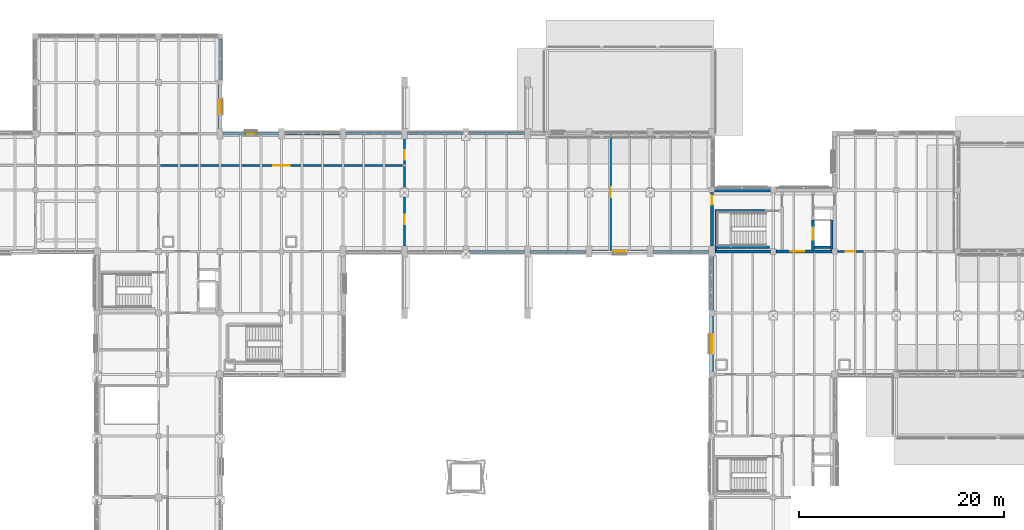
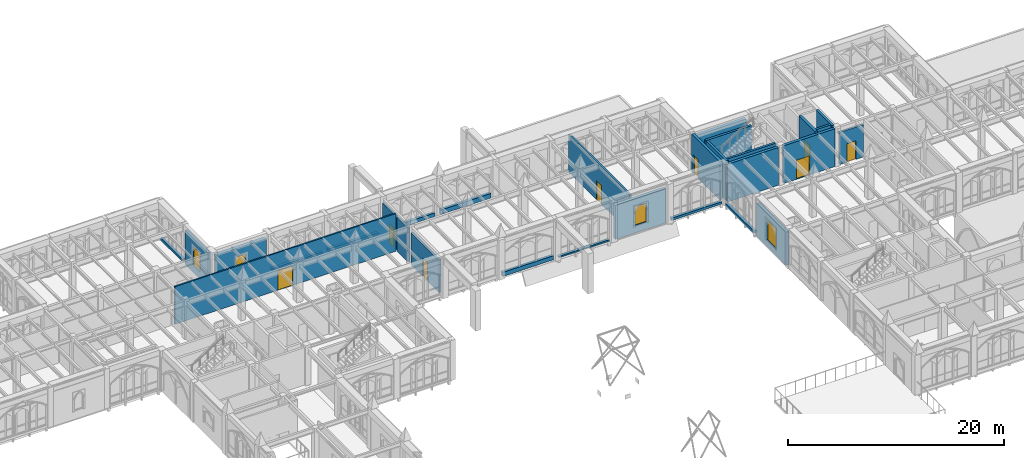
# One storey, part 108 of 143: 29 walls, 8 doors, 4 windows, 12 openings.
"""IFC4 building model written with IfcOpenShell, lengths in metres."""

from ifc_helpers import new_model, si_unit, direction, frame, frame_2d, origin, place, context, subcontext, project, spatial, rectangle, extrude, material, layer, layer_set, type_object, element, fill, save


model = new_model("IFC4")

# Units and contexts
model_context = context("Model", 3, precision=1e-05, world=origin(), true_north=direction((0.0, 1.0)))
body_context = subcontext(model_context, "Body", "Model", "MODEL_VIEW")
ifc_project = project(units=[si_unit("LENGTHUNIT", "METRE"), si_unit("AREAUNIT", "SQUARE_METRE"), si_unit("VOLUMEUNIT", "CUBIC_METRE"), si_unit("PLANEANGLEUNIT", "RADIAN"), si_unit("MASSUNIT", "GRAM", prefix="KILO")], contexts=[model_context])

# Site, building, storey
site_placement = place(None, origin())
site = spatial("IfcSite", under=ifc_project, at=site_placement, CompositionType="ELEMENT")
building_placement = place(site_placement, origin())
building = spatial("IfcBuilding", under=site, at=building_placement, Name="Cumevento Cable Car Station", CompositionType="ELEMENT")
storey_placement = place(building_placement, frame((0.0, 0.0, 9.0)))
storey = spatial("IfcBuildingStorey", under=building, at=storey_placement, Name="L03", CompositionType="ELEMENT", Elevation=9.0)

# Wall, opening, window
ifc_material_1 = material(Name="Gnaisse Facoidal Stone Ashlar 85 MPa", Category="masonry")
ifc_layer_1 = layer(ifc_material_1, 0.280029296875)
ifc_layer_set_1 = layer_set([ifc_layer_1], Name="Gnaisse Facoidal Stone Ashlar 85 MPa")
wall_type_1 = type_object("IfcWallType", Name="Exterior Envelope Wall EW-280 280", PredefinedType="SOLIDWALL", material=ifc_layer_set_1)
wall_1_placement = place(storey_placement, frame((70.0, 61.25, 0.0), z_axis=(0.0, 0.0, 1.0), x_axis=(0.0, -1.0, 0.0)))
wall_1 = element("IfcWall", 1, at=wall_1_placement, inside=storey, type_object=wall_type_1, Name="Exterior Wall EW-280 L03 #261", PredefinedType="SOLIDWALL", context=body_context, shape_type="SweptSolid", body=[
    extrude(rectangle(XDim=4.22509765625, YDim=0.280029296875, at=frame_2d((2.112548828125, 0.0))), origin(), (0.0, 0.0, 1.0), 3.8330078125),
])
opening_1_placement = place(wall_1_placement, frame((1.4375, 0.0, 0.800048828125)))
opening_1 = element("IfcOpeningElement", 2, at=opening_1_placement, cuts=wall_1, Name="Opening WN-L03-078", PredefinedType="OPENING", context=body_context, shape_type="SweptSolid", body=[
    extrude(rectangle(XDim=1.35009765625, YDim=2.14990234375, at=frame_2d((0.675048828125, 1.074951171875))), frame((0.0, 0.150146484375, 0.0), z_axis=(0.0, -1.0, 0.0), x_axis=(1.0, 0.0, 0.0)), (0.0, 0.0, 1.0), 0.300048828125),
])
ifc_material_2 = material(Name="Anodised Bronze Aluminium & Laminated Solar Glass", Category="aluminium")
window_type_1 = type_object("IfcWindowType", Name="Lancet Window WN-06 1350x2150", PartitioningType="SINGLE_PANEL", PredefinedType="WINDOW", material=ifc_material_2)
window_1_placement = place(opening_1_placement, origin())
window_1 = element("IfcWindow", 3, at=window_1_placement, inside=storey, type_object=window_type_1, Name="Lancet Window WN-L03-078 (WN-06)", OverallHeight=2.14990234375, OverallWidth=1.35009765625, PartitioningType="SINGLE_PANEL", PredefinedType="WINDOW", context=body_context, shape_type="SweptSolid", body=[
    extrude(rectangle(XDim=1.35009765625, YDim=2.14990234375, at=frame_2d((0.675048828125, 1.074951171875))), frame((0.0, 0.030029296875, 0.0), z_axis=(0.0, -1.0, 0.0), x_axis=(1.0, 0.0, 0.0)), (0.0, 0.0, 1.0), 0.06005859375),
])
fill(opening_1, window_1)

# Walls
ifc_material_3 = material(Name="Gnaisse Facoidal Stone Ashlar 85 MPa", Category="masonry")
ifc_layer_2 = layer(ifc_material_3, 0.294921875)
ifc_layer_set_2 = layer_set([ifc_layer_2], Name="Gnaisse Facoidal Stone Ashlar 85 MPa")
wall_type_2 = type_object("IfcWallType", Name="Exterior Envelope Wall EW-295 295", PredefinedType="SOLIDWALL", material=ifc_layer_set_2)
wall_2_placement = place(storey_placement, frame((76.300048828125, 56.5, 0.0), z_axis=(0.0, 0.0, 1.0), x_axis=(1.0, 0.0, 0.0)))
element("IfcWall", 4, at=wall_2_placement, inside=storey, type_object=wall_type_2, Name="Exterior Sill Curb Wall EW-295 L03 #243", PredefinedType="SOLIDWALL", context=body_context, shape_type="SweptSolid", body=[
    extrude(rectangle(XDim=5.39990234375, YDim=0.294921875, at=frame_2d((2.699951171875, 0.0))), origin(), (0.0, 0.0, 1.0), 0.2099609375),
])
wall_3_placement = place(storey_placement, frame((82.300048828125, 56.5, 0.0), z_axis=(0.0, 0.0, 1.0), x_axis=(1.0, 0.0, 0.0)))
element("IfcWall", 5, at=wall_3_placement, inside=storey, type_object=wall_type_2, Name="Exterior Sill Curb Wall EW-295 L03 #245", PredefinedType="SOLIDWALL", context=body_context, shape_type="SweptSolid", body=[
    extrude(rectangle(XDim=5.39990234375, YDim=0.294921875, at=frame_2d((2.699951171875, 0.0))), origin(), (0.0, 0.0, 1.0), 0.31005859375),
])
wall_4_placement = place(storey_placement, frame((88.300048828125, 56.5, 0.0), z_axis=(0.0, 0.0, 1.0), x_axis=(1.0, 0.0, 0.0)))
element("IfcWall", 6, at=wall_4_placement, inside=storey, type_object=wall_type_2, Name="Exterior Sill Curb Wall EW-295 L03 #247", PredefinedType="SOLIDWALL", context=body_context, shape_type="SweptSolid", body=[
    extrude(rectangle(XDim=5.39990234375, YDim=0.294921875, at=frame_2d((2.699951171875, 0.0))), origin(), (0.0, 0.0, 1.0), 0.409912109375),
])
wall_5_placement = place(storey_placement, frame((99.699951171875, 45.0, 0.0), z_axis=(0.0, 0.0, 1.0), x_axis=(-1.0, 0.0, 0.0)))
element("IfcWall", 7, at=wall_5_placement, inside=storey, type_object=wall_type_2, Name="Exterior Sill Curb Wall EW-295 L03 #248", PredefinedType="SOLIDWALL", context=body_context, shape_type="SweptSolid", body=[
    extrude(rectangle(XDim=5.39990234375, YDim=0.294921875, at=frame_2d((2.699951171875, 0.0))), origin(), (0.0, 0.0, 1.0), 0.4599609375),
])
wall_6_placement = place(storey_placement, frame((94.300048828125, 56.5, 0.0), z_axis=(0.0, 0.0, 1.0), x_axis=(1.0, 0.0, 0.0)))
element("IfcWall", 8, at=wall_6_placement, inside=storey, type_object=wall_type_2, Name="Exterior Sill Curb Wall EW-295 L03 #249", PredefinedType="SOLIDWALL", context=body_context, shape_type="SweptSolid", body=[
    extrude(rectangle(XDim=5.39990234375, YDim=0.294921875, at=frame_2d((2.699951171875, 0.0))), origin(), (0.0, 0.0, 1.0), 0.52001953125),
])
wall_7_placement = place(storey_placement, frame((105.699951171875, 45.0, 0.0), z_axis=(0.0, 0.0, 1.0), x_axis=(-1.0, 0.0, 0.0)))
element("IfcWall", 9, at=wall_7_placement, inside=storey, type_object=wall_type_2, Name="Exterior Sill Curb Wall EW-295 L03 #250", PredefinedType="SOLIDWALL", context=body_context, shape_type="SweptSolid", body=[
    extrude(rectangle(XDim=5.39990234375, YDim=0.294921875, at=frame_2d((2.699951171875, 0.0))), origin(), (0.0, 0.0, 1.0), 0.159912109375),
])
wall_8_placement = place(storey_placement, frame((117.699951171875, 45.0, 0.0), z_axis=(0.0, 0.0, 1.0), x_axis=(-1.0, 0.0, 0.0)))
element("IfcWall", 10, at=wall_8_placement, inside=storey, type_object=wall_type_2, Name="Exterior Sill Curb Wall EW-295 L03 #254", PredefinedType="SOLIDWALL", context=body_context, shape_type="SweptSolid", body=[
    extrude(rectangle(XDim=5.39990234375, YDim=0.294921875, at=frame_2d((2.699951171875, 0.0))), origin(), (0.0, 0.0, 1.0), 0.260009765625),
])
wall_9_placement = place(storey_placement, frame((70.0, 65.75, 0.0), z_axis=(0.0, 0.0, 1.0), x_axis=(0.0, -1.0, 0.0)))
element("IfcWall", 11, at=wall_9_placement, inside=storey, type_object=wall_type_2, Name="Exterior Sill Curb Wall EW-295 L03 #263", PredefinedType="SOLIDWALL", context=body_context, shape_type="SweptSolid", body=[
    extrude(rectangle(XDim=4.0, YDim=0.294921875, at=frame_2d((2.0, 0.0))), origin(), (0.0, 0.0, 1.0), 0.260009765625),
])
wall_10_placement = place(storey_placement, frame((118.0, 39.27490234375, 0.0), z_axis=(0.0, 0.0, 1.0), x_axis=(0.0, 1.0, 0.0)))
element("IfcWall", 12, at=wall_10_placement, inside=storey, type_object=wall_type_2, Name="Exterior Sill Curb Wall EW-295 L03 #278", PredefinedType="SOLIDWALL", context=body_context, shape_type="SweptSolid", body=[
    extrude(rectangle(XDim=5.2001953125, YDim=0.294921875, at=frame_2d((2.60009765625, 0.0))), origin(), (0.0, 0.0, 1.0), 0.260009765625),
])

# Wall, opening, window
ifc_material_4 = material(Name="Gnaisse Facoidal Stone Ashlar 85 MPa", Category="masonry")
ifc_layer_3 = layer(ifc_material_4, 0.324951171875)
ifc_layer_set_3 = layer_set([ifc_layer_3], Name="Gnaisse Facoidal Stone Ashlar 85 MPa")
wall_type_3 = type_object("IfcWallType", Name="Exterior Envelope Wall EW-325 325", PredefinedType="SOLIDWALL", material=ifc_layer_set_3)
wall_11_placement = place(storey_placement, frame((118.0, 33.27490234375, 0.0), z_axis=(0.0, 0.0, 1.0), x_axis=(0.0, 1.0, 0.0)))
wall_11 = element("IfcWall", 13, at=wall_11_placement, inside=storey, type_object=wall_type_3, Name="Exterior Wall EW-325 L03 #277", PredefinedType="SOLIDWALL", context=body_context, shape_type="SweptSolid", body=[
    extrude(rectangle(XDim=5.4501953125, YDim=0.324951171875, at=frame_2d((2.72509765625, 0.0))), origin(), (0.0, 0.0, 1.0), 3.778076171875),
])
opening_2_placement = place(wall_11_placement, frame((1.85009765625, 0.0, 0.75)))
opening_2 = element("IfcOpeningElement", 14, at=opening_2_placement, cuts=wall_11, Name="Opening WN-L03-082", PredefinedType="OPENING", context=body_context, shape_type="SweptSolid", body=[
    extrude(rectangle(XDim=1.75, YDim=2.300048828125, at=frame_2d((0.875, 1.14990234375))), frame((0.0, 0.172607421875, 0.0), z_axis=(0.0, -1.0, 0.0), x_axis=(1.0, 0.0, 0.0)), (0.0, 0.0, 1.0), 0.344970703125),
])
ifc_material_5 = material(Name="Anodised Bronze Aluminium & Laminated Solar Glass", Category="aluminium")
window_type_2 = type_object("IfcWindowType", Name="Lancet Window WN-10 1750x2300", PartitioningType="DOUBLE_PANEL_VERTICAL", PredefinedType="WINDOW", material=ifc_material_5)
window_2_placement = place(opening_2_placement, origin())
window_2 = element("IfcWindow", 15, at=window_2_placement, inside=storey, type_object=window_type_2, Name="Lancet Window WN-L03-082 (WN-10)", OverallHeight=2.300048828125, OverallWidth=1.75, PartitioningType="SINGLE_PANEL", PredefinedType="WINDOW", context=body_context, shape_type="SweptSolid", body=[
    extrude(rectangle(XDim=1.75, YDim=2.300048828125, at=frame_2d((0.875, 1.14990234375))), frame((0.0, 0.030029296875, 0.0), z_axis=(0.0, -1.0, 0.0), x_axis=(1.0, 0.0, 0.0)), (0.0, 0.0, 1.0), 0.06005859375),
])
fill(opening_2, window_2)

ifc_material_6 = material(Name="Concrete C40/50", Category="concrete")
ifc_layer_4 = layer(ifc_material_6, 0.340087890625)
ifc_layer_set_4 = layer_set([ifc_layer_4], Name="Concrete C40/50")
wall_type_4 = type_object("IfcWallType", Name="Exterior Envelope Wall EW-340 340", PredefinedType="SOLIDWALL", material=ifc_layer_set_4)
wall_12_placement = place(storey_placement, frame((111.699951171875, 45.0, 0.0), z_axis=(0.0, 0.0, 1.0), x_axis=(-1.0, 0.0, 0.0)))
wall_12 = element("IfcWall", 16, at=wall_12_placement, inside=storey, type_object=wall_type_4, Name="Exterior Wall EW-340 L03 #252", PredefinedType="SOLIDWALL", context=body_context, shape_type="SweptSolid", body=[
    extrude(rectangle(XDim=5.39990234375, YDim=0.340087890625, at=frame_2d((2.699951171875, 0.0))), origin(), (0.0, 0.0, 1.0), 3.844970703125),
])
opening_3_placement = place(wall_12_placement, frame((2.074951171875, 0.0, 0.800048828125)))
opening_3 = element("IfcOpeningElement", 17, at=opening_3_placement, cuts=wall_12, Name="Opening WN-L03-077", PredefinedType="OPENING", context=body_context, shape_type="SweptSolid", body=[
    extrude(rectangle(XDim=1.25, YDim=2.14990234375, at=frame_2d((0.625, 1.074951171875))), frame((0.0, 0.179931640625, 0.0), z_axis=(0.0, -1.0, 0.0), x_axis=(1.0, 0.0, 0.0)), (0.0, 0.0, 1.0), 0.360107421875),
])
ifc_material_7 = material(Name="Anodised Bronze Aluminium & Laminated Solar Glass", Category="aluminium")
window_type_3 = type_object("IfcWindowType", Name="Lancet Window WN-05 1250x2150", PartitioningType="SINGLE_PANEL", PredefinedType="WINDOW", material=ifc_material_7)
window_3_placement = place(opening_3_placement, origin())
window_3 = element("IfcWindow", 18, at=window_3_placement, inside=storey, type_object=window_type_3, Name="Lancet Window WN-L03-077 (WN-05)", OverallHeight=2.14990234375, OverallWidth=1.25, PartitioningType="SINGLE_PANEL", PredefinedType="WINDOW", context=body_context, shape_type="SweptSolid", body=[
    extrude(rectangle(XDim=1.25, YDim=2.14990234375, at=frame_2d((0.625, 1.074951171875))), frame((0.0, 0.030029296875, 0.0), z_axis=(0.0, -1.0, 0.0), x_axis=(1.0, 0.0, 0.0)), (0.0, 0.0, 1.0), 0.06005859375),
])
fill(opening_3, window_3)

# Wall
ifc_material_8 = material(Name="Concrete C40/50", Category="concrete")
ifc_layer_5 = layer(ifc_material_8, 0.35498046875)
ifc_layer_set_5 = layer_set([ifc_layer_5], Name="Concrete C40/50")
wall_type_5 = type_object("IfcWallType", Name="Exterior Envelope Wall EW-355 355", PredefinedType="SOLIDWALL", material=ifc_layer_set_5)
wall_13_placement = place(storey_placement, frame((118.25, 51.0, 0.0), z_axis=(0.0, 0.0, 1.0), x_axis=(1.0, 0.0, 0.0)))
element("IfcWall", 19, at=wall_13_placement, inside=storey, type_object=wall_type_5, Name="Exterior Wall EW-355 L03 #290", PredefinedType="SOLIDWALL", context=body_context, shape_type="SweptSolid", body=[
    extrude(rectangle(XDim=5.47509765625, YDim=0.35498046875, at=frame_2d((2.737548828125, 0.0))), origin(), (0.0, 0.0, 1.0), 3.844970703125),
])

# Wall, opening, window
ifc_material_9 = material(Name="Gnaisse Facoidal Stone Ashlar 85 MPa", Category="masonry")
ifc_layer_6 = layer(ifc_material_9, 0.385009765625)
ifc_layer_set_6 = layer_set([ifc_layer_6], Name="Gnaisse Facoidal Stone Ashlar 85 MPa")
wall_type_6 = type_object("IfcWallType", Name="Exterior Envelope Wall EW-385 385", PredefinedType="SOLIDWALL", material=ifc_layer_set_6)
wall_14_placement = place(storey_placement, frame((70.300048828125, 56.5, 0.0), z_axis=(0.0, 0.0, 1.0), x_axis=(1.0, 0.0, 0.0)))
wall_14 = element("IfcWall", 20, at=wall_14_placement, inside=storey, type_object=wall_type_6, Name="Exterior Wall EW-385 L03 #242", PredefinedType="SOLIDWALL", context=body_context, shape_type="SweptSolid", body=[
    extrude(rectangle(XDim=5.39990234375, YDim=0.385009765625, at=frame_2d((2.699951171875, 0.0))), origin(), (0.0, 0.0, 1.0), 3.8330078125),
])
opening_4_placement = place(wall_14_placement, frame((2.175048828125, 0.0, 0.85009765625)))
opening_4 = element("IfcOpeningElement", 21, at=opening_4_placement, cuts=wall_14, Name="Opening WN-L03-075", PredefinedType="OPENING", context=body_context, shape_type="SweptSolid", body=[
    extrude(rectangle(XDim=1.050048828125, YDim=2.050048828125, at=frame_2d((0.52490234375, 1.02490234375))), frame((0.0, 0.202392578125, 0.0), z_axis=(0.0, -1.0, 0.0), x_axis=(1.0, 0.0, 0.0)), (0.0, 0.0, 1.0), 0.405029296875),
])
ifc_material_10 = material(Name="Anodised Bronze Aluminium & Laminated Solar Glass", Category="aluminium")
window_type_4 = type_object("IfcWindowType", Name="Lancet Window WN-03 1050x2050", PartitioningType="SINGLE_PANEL", PredefinedType="WINDOW", material=ifc_material_10)
window_4_placement = place(opening_4_placement, origin())
window_4 = element("IfcWindow", 22, at=window_4_placement, inside=storey, type_object=window_type_4, Name="Lancet Window WN-L03-075 (WN-03)", OverallHeight=2.050048828125, OverallWidth=1.050048828125, PartitioningType="SINGLE_PANEL", PredefinedType="WINDOW", context=body_context, shape_type="SweptSolid", body=[
    extrude(rectangle(XDim=1.050048828125, YDim=2.050048828125, at=frame_2d((0.52490234375, 1.02490234375))), frame((0.0, 0.030029296875, 0.0), z_axis=(0.0, -1.0, 0.0), x_axis=(1.0, 0.0, 0.0)), (0.0, 0.0, 1.0), 0.06005859375),
])
fill(opening_4, window_4)

# Wall, opening, door
ifc_material_11 = material(Name="Concrete C40/50", Category="concrete")
ifc_layer_7 = layer(ifc_material_11, 0.219970703125)
ifc_layer_set_7 = layer_set([ifc_layer_7], Name="Concrete C40/50")
wall_type_7 = type_object("IfcWallType", Name="Interior Partition FW-220 220", PredefinedType="SOLIDWALL", material=ifc_layer_set_7)
wall_15_placement = place(storey_placement, frame((88.0, 45.527099609375, 0.0), z_axis=(0.0, 0.0, 1.0), x_axis=(0.0, 1.0, 0.0)))
wall_15 = element("IfcWall", 23, at=wall_15_placement, inside=storey, type_object=wall_type_7, Name="Interior Wall FW-220 L03 #666", PredefinedType="SOLIDWALL", context=body_context, shape_type="SweptSolid", body=[
    extrude(rectangle(XDim=5.19580078125, YDim=0.219970703125, at=frame_2d((2.597900390625, 0.0))), origin(), (0.0, 0.0, 1.0), 3.64404296875),
])
opening_5_placement = place(wall_15_placement, frame((2.1279296875, 0.0, 0.0)))
opening_5 = element("IfcOpeningElement", 24, at=opening_5_placement, cuts=wall_15, Name="Opening DR-L03-258", PredefinedType="OPENING", context=body_context, shape_type="SweptSolid", body=[
    extrude(rectangle(XDim=0.93994140625, YDim=2.10009765625, at=frame_2d((0.469970703125, 1.050048828125))), frame((0.0, 0.119873046875, 0.0), z_axis=(0.0, -1.0, 0.0), x_axis=(1.0, 0.0, 0.0)), (0.0, 0.0, 1.0), 0.239990234375),
])
ifc_material_12 = material(Name="Galvanised Painted Steel Fire Door", Category="steel")
door_type_1 = type_object("IfcDoorType", Name="Interior Door FD-08 940x2100", OperationType="NOTDEFINED", PredefinedType="DOOR", material=ifc_material_12)
door_1_placement = place(opening_5_placement, origin())
door_1 = element("IfcDoor", 25, at=door_1_placement, inside=storey, type_object=door_type_1, Name="Interior Door DR-L03-258 (FD-08)", OperationType="SINGLE_SWING_LEFT", OverallHeight=2.10009765625, OverallWidth=0.93994140625, PredefinedType="DOOR", context=body_context, shape_type="SweptSolid", body=[
    extrude(rectangle(XDim=0.93994140625, YDim=2.10009765625, at=frame_2d((0.469970703125, 1.050048828125))), frame((0.0, 0.02490234375, 0.0), z_axis=(0.0, -1.0, 0.0), x_axis=(1.0, 0.0, 0.0)), (0.0, 0.0, 1.0), 0.050048828125),
])
fill(opening_5, door_1)

# Wall
wall_16_placement = place(storey_placement, frame((88.0, 51.277099609375, 0.0), z_axis=(0.0, 0.0, 1.0), x_axis=(0.0, 1.0, 0.0)))
element("IfcWall", 26, at=wall_16_placement, inside=storey, type_object=wall_type_7, Name="Interior Wall FW-220 L03 #667", PredefinedType="SOLIDWALL", context=body_context, shape_type="SweptSolid", body=[
    extrude(rectangle(XDim=2.02294921875, YDim=0.219970703125, at=frame_2d((1.011474609375, 0.0))), origin(), (0.0, 0.0, 1.0), 3.794921875),
])

# Wall, opening, door
wall_17_placement = place(storey_placement, frame((88.0, 53.5, 0.0), z_axis=(0.0, 0.0, 1.0), x_axis=(0.0, 1.0, 0.0)))
wall_17 = element("IfcWall", 27, at=wall_17_placement, inside=storey, type_object=wall_type_7, Name="Interior Wall FW-220 L03 #668", PredefinedType="SOLIDWALL", context=body_context, shape_type="SweptSolid", body=[
    extrude(rectangle(XDim=2.472900390625, YDim=0.219970703125, at=frame_2d((1.236328125, 0.0))), origin(), (0.0, 0.0, 1.0), 3.794921875),
])
opening_6_placement = place(wall_17_placement, frame((0.466552734375, 0.0, 0.0)))
opening_6 = element("IfcOpeningElement", 28, at=opening_6_placement, cuts=wall_17, Name="Opening DR-L03-259", PredefinedType="OPENING", context=body_context, shape_type="SweptSolid", body=[
    extrude(rectangle(XDim=0.93994140625, YDim=2.10009765625, at=frame_2d((0.469970703125, 1.050048828125))), frame((0.0, 0.119873046875, 0.0), z_axis=(0.0, -1.0, 0.0), x_axis=(1.0, 0.0, 0.0)), (0.0, 0.0, 1.0), 0.239990234375),
])
door_2_placement = place(opening_6_placement, origin())
door_2 = element("IfcDoor", 29, at=door_2_placement, inside=storey, type_object=door_type_1, Name="Interior Door DR-L03-259 (FD-08)", OperationType="SINGLE_SWING_RIGHT", OverallHeight=2.10009765625, OverallWidth=0.93994140625, PredefinedType="DOOR", context=body_context, shape_type="SweptSolid", body=[
    extrude(rectangle(XDim=0.93994140625, YDim=2.10009765625, at=frame_2d((0.469970703125, 1.050048828125))), frame((0.0, 0.02490234375, 0.0), z_axis=(0.0, -1.0, 0.0), x_axis=(1.0, 0.0, 0.0)), (0.0, 0.0, 1.0), 0.050048828125),
])
fill(opening_6, door_2)

wall_18_placement = place(storey_placement, frame((130.251953125, 45.0, 0.0), z_axis=(0.0, 0.0, 1.0), x_axis=(1.0, 0.0, 0.0)))
wall_18 = element("IfcWall", 30, at=wall_18_placement, inside=storey, type_object=wall_type_7, Name="Interior Wall FW-220 L03 #681", PredefinedType="SOLIDWALL", context=body_context, shape_type="SweptSolid", body=[
    extrude(rectangle(XDim=2.548095703125, YDim=0.219970703125, at=frame_2d((1.27392578125, 0.0))), origin(), (0.0, 0.0, 1.0), 3.64697265625),
])
opening_7_placement = place(wall_18_placement, frame((0.803955078125, 0.0, 0.0)))
opening_7 = element("IfcOpeningElement", 31, at=opening_7_placement, cuts=wall_18, Name="Opening DR-L03-270", PredefinedType="OPENING", context=body_context, shape_type="SweptSolid", body=[
    extrude(rectangle(XDim=0.93994140625, YDim=2.10009765625, at=frame_2d((0.469970703125, 1.050048828125))), frame((0.0, 0.119873046875, 0.0), z_axis=(0.0, -1.0, 0.0), x_axis=(1.0, 0.0, 0.0)), (0.0, 0.0, 1.0), 0.239990234375),
])
door_3_placement = place(opening_7_placement, origin())
door_3 = element("IfcDoor", 32, at=door_3_placement, inside=storey, type_object=door_type_1, Name="Interior Door DR-L03-270 (FD-08)", OperationType="SINGLE_SWING_LEFT", OverallHeight=2.10009765625, OverallWidth=0.93994140625, PredefinedType="DOOR", context=body_context, shape_type="SweptSolid", body=[
    extrude(rectangle(XDim=0.93994140625, YDim=2.10009765625, at=frame_2d((0.469970703125, 1.050048828125))), frame((0.0, 0.02490234375, 0.0), z_axis=(0.0, -1.0, 0.0), x_axis=(1.0, 0.0, 0.0)), (0.0, 0.0, 1.0), 0.050048828125),
])
fill(opening_7, door_3)

ifc_material_13 = material(Name="Gypsum Board & Insulated Stud Partition", Category="gypsum")
ifc_layer_8 = layer(ifc_material_13, 0.155029296875)
ifc_layer_set_8 = layer_set([ifc_layer_8], Name="Gypsum Board & Insulated Stud Partition")
wall_type_8 = type_object("IfcWallType", Name="Interior Partition PT-155 155", PredefinedType="PARTITIONING", material=ifc_layer_set_8)
wall_19_placement = place(storey_placement, frame((64.199951171875, 53.39990234375, 0.0), z_axis=(0.0, 0.0, 1.0), x_axis=(1.0, 0.0, 0.0)))
wall_19 = element("IfcWall", 33, at=wall_19_placement, inside=storey, type_object=wall_type_8, Name="Interior Wall PT-155 L03 #665", PredefinedType="PARTITIONING", context=body_context, shape_type="SweptSolid", body=[
    extrude(rectangle(XDim=23.60009765625, YDim=0.155029296875, at=frame_2d((11.800048828125, 0.0))), origin(), (0.0, 0.0, 1.0), 4.251953125),
])
opening_8_placement = place(wall_19_placement, frame((11.010009765625, 0.0, 0.0)))
opening_8 = element("IfcOpeningElement", 34, at=opening_8_placement, cuts=wall_19, Name="Opening DR-L03-257", PredefinedType="OPENING", context=body_context, shape_type="SweptSolid", body=[
    extrude(rectangle(XDim=1.580078125, YDim=2.199951171875, at=frame_2d((0.7900390625, 1.10009765625))), frame((0.0, 0.087646484375, 0.0), z_axis=(0.0, -1.0, 0.0), x_axis=(1.0, 0.0, 0.0)), (0.0, 0.0, 1.0), 0.175048828125),
])
ifc_material_14 = material(Name="Galvanised Painted Steel Fire Door", Category="steel")
door_type_2 = type_object("IfcDoorType", Name="Interior Door FD-06 1580x2200", OperationType="NOTDEFINED", PredefinedType="DOOR", material=ifc_material_14)
door_4_placement = place(opening_8_placement, origin())
door_4 = element("IfcDoor", 35, at=door_4_placement, inside=storey, type_object=door_type_2, Name="Interior Door DR-L03-257 (FD-06)", OperationType="DOUBLE_DOOR_SINGLE_SWING", OverallHeight=2.199951171875, OverallWidth=1.580078125, PredefinedType="DOOR", context=body_context, shape_type="SweptSolid", body=[
    extrude(rectangle(XDim=1.580078125, YDim=2.199951171875, at=frame_2d((0.7900390625, 1.10009765625))), frame((0.0, 0.02490234375, 0.0), z_axis=(0.0, -1.0, 0.0), x_axis=(1.0, 0.0, 0.0)), (0.0, 0.0, 1.0), 0.050048828125),
])
fill(opening_8, door_4)

ifc_material_15 = material(Name="Acoustic Double-Stud Partition", Category="gypsum")
ifc_layer_9 = layer(ifc_material_15, 0.195068359375)
ifc_layer_set_9 = layer_set([ifc_layer_9], Name="Acoustic Double-Stud Partition")
wall_type_9 = type_object("IfcWallType", Name="Interior Partition PT-195 195", PredefinedType="PARTITIONING", material=ifc_layer_set_9)
wall_20_placement = place(storey_placement, frame((108.10009765625, 45.172119140625, 0.0), z_axis=(0.0, 0.0, 1.0), x_axis=(0.0, 1.0, 0.0)))
wall_20 = element("IfcWall", 36, at=wall_20_placement, inside=storey, type_object=wall_type_9, Name="Interior Wall PT-195 L03 #670", PredefinedType="PARTITIONING", context=body_context, shape_type="SweptSolid", body=[
    extrude(rectangle(XDim=11.242919921875, YDim=0.195068359375, at=frame_2d((5.62158203125, 0.0))), origin(), (0.0, 0.0, 1.0), 4.251953125),
])
opening_9_placement = place(wall_20_placement, frame((5.151611328125, 0.0, 0.0)))
opening_9 = element("IfcOpeningElement", 37, at=opening_9_placement, cuts=wall_20, Name="Opening DR-L03-261", PredefinedType="OPENING", context=body_context, shape_type="SweptSolid", body=[
    extrude(rectangle(XDim=0.93994140625, YDim=2.10009765625, at=frame_2d((0.469970703125, 1.050048828125))), frame((0.0, 0.107666015625, 0.0), z_axis=(0.0, -1.0, 0.0), x_axis=(1.0, 0.0, 0.0)), (0.0, 0.0, 1.0), 0.215087890625),
])
door_5_placement = place(opening_9_placement, origin())
door_5 = element("IfcDoor", 38, at=door_5_placement, inside=storey, type_object=door_type_1, Name="Interior Door DR-L03-261 (FD-08)", OperationType="SINGLE_SWING_LEFT", OverallHeight=2.10009765625, OverallWidth=0.93994140625, PredefinedType="DOOR", context=body_context, shape_type="SweptSolid", body=[
    extrude(rectangle(XDim=0.93994140625, YDim=2.10009765625, at=frame_2d((0.469970703125, 1.050048828125))), frame((0.0, 0.02490234375, 0.0), z_axis=(0.0, -1.0, 0.0), x_axis=(1.0, 0.0, 0.0)), (0.0, 0.0, 1.0), 0.050048828125),
])
fill(opening_9, door_5)

# Walls
ifc_material_16 = material(Name="Concrete C40/50", Category="concrete")
ifc_layer_10 = layer(ifc_material_16, 0.22998046875)
ifc_layer_set_10 = layer_set([ifc_layer_10], Name="Concrete C40/50")
wall_type_10 = type_object("IfcWallType", Name="Interior Shear Wall CW-230 230", PredefinedType="SHEAR", material=ifc_layer_set_10)
wall_21_placement = place(storey_placement, frame((118.405029296875, 45.114990234375, 0.0), z_axis=(0.0, 0.0, 1.0), x_axis=(0.0, 1.0, 0.0)))
element("IfcWall", 39, at=wall_21_placement, inside=storey, type_object=wall_type_10, Name="Interior Wall CW-230 L03 #498", PredefinedType="SHEAR", context=body_context, shape_type="SweptSolid", body=[
    extrude(rectangle(XDim=3.735107421875, YDim=0.22998046875, at=frame_2d((1.86767578125, 0.0))), origin(), (0.0, 0.0, 1.0), 4.5),
])
wall_22_placement = place(storey_placement, frame((118.52001953125, 45.405029296875, 0.0), z_axis=(0.0, 0.0, 1.0), x_axis=(1.0, 0.0, 0.0)))
element("IfcWall", 40, at=wall_22_placement, inside=storey, type_object=wall_type_10, Name="Interior Wall CW-230 L03 #499", PredefinedType="SHEAR", context=body_context, shape_type="SweptSolid", body=[
    extrude(rectangle(XDim=5.1298828125, YDim=0.22998046875, at=frame_2d((2.56494140625, 0.0))), origin(), (0.0, 0.0, 1.0), 4.5),
])
wall_23_placement = place(storey_placement, frame((128.0048828125, 45.419921875, 0.0), z_axis=(0.0, 0.0, 1.0), x_axis=(1.0, 0.0, 0.0)))
element("IfcWall", 41, at=wall_23_placement, inside=storey, type_object=wall_type_10, Name="Interior Wall CW-230 L03 #504", PredefinedType="SHEAR", context=body_context, shape_type="SweptSolid", body=[
    extrude(rectangle(XDim=1.580078125, YDim=0.22998046875, at=frame_2d((0.7900390625, 0.0))), origin(), (0.0, 0.0, 1.0), 4.5),
])
wall_24_placement = place(storey_placement, frame((129.699951171875, 45.114990234375, 0.0), z_axis=(0.0, 0.0, 1.0), x_axis=(0.0, 1.0, 0.0)))
element("IfcWall", 42, at=wall_24_placement, inside=storey, type_object=wall_type_10, Name="Interior Wall CW-230 L03 #505", PredefinedType="SHEAR", context=body_context, shape_type="SweptSolid", body=[
    extrude(rectangle(XDim=2.965087890625, YDim=0.22998046875, at=frame_2d((1.482421875, 0.0))), origin(), (0.0, 0.0, 1.0), 4.5),
])
ifc_material_17 = material(Name="Concrete C40/50", Category="concrete")
ifc_layer_11 = layer(ifc_material_17, 0.25)
ifc_layer_set_11 = layer_set([ifc_layer_11], Name="Concrete C40/50")
wall_type_11 = type_object("IfcWallType", Name="Interior Shear Wall CW-250 250", PredefinedType="SHEAR", material=ifc_layer_set_11)
wall_25_placement = place(storey_placement, frame((118.2900390625, 48.97509765625, 0.0), z_axis=(0.0, 0.0, 1.0), x_axis=(1.0, 0.0, 0.0)))
element("IfcWall", 43, at=wall_25_placement, inside=storey, type_object=wall_type_11, Name="Interior Wall CW-250 L03 #500", PredefinedType="SHEAR", context=body_context, shape_type="SweptSolid", body=[
    extrude(rectangle(XDim=4.869873046875, YDim=0.25, at=frame_2d((2.43505859375, 0.0))), origin(), (0.0, 0.0, 1.0), 4.5),
])

# Wall, opening, door
wall_26_placement = place(storey_placement, frame((127.8798828125, 45.114990234375, 0.0), z_axis=(0.0, 0.0, 1.0), x_axis=(0.0, 1.0, 0.0)))
wall_26 = element("IfcWall", 44, at=wall_26_placement, inside=storey, type_object=wall_type_11, Name="Interior Wall CW-250 L03 #503", PredefinedType="SHEAR", context=body_context, shape_type="SweptSolid", body=[
    extrude(rectangle(XDim=2.965087890625, YDim=0.25, at=frame_2d((1.482421875, 0.0))), origin(), (0.0, 0.0, 1.0), 4.5),
])
opening_10_placement = place(wall_26_placement, frame((1.054931640625, 0.0, 0.0)))
opening_10 = element("IfcOpeningElement", 45, at=opening_10_placement, cuts=wall_26, Name="Opening LD-LF06-L03", PredefinedType="OPENING", context=body_context, shape_type="SweptSolid", body=[
    extrude(rectangle(XDim=1.159912109375, YDim=2.179931640625, at=frame_2d((0.580078125, 1.08984375))), frame((0.0, 0.135009765625, 0.0), z_axis=(0.0, -1.0, 0.0), x_axis=(1.0, 0.0, 0.0)), (0.0, 0.0, 1.0), 0.27001953125),
])
ifc_material_18 = material(Name="Brushed Stainless Steel Lift Door", Category="steel")
door_type_3 = type_object("IfcDoorType", Name="Interior Door LD-02 1160x2180", OperationType="NOTDEFINED", PredefinedType="DOOR", material=ifc_material_18)
door_6_placement = place(opening_10_placement, origin())
door_6 = element("IfcDoor", 46, at=door_6_placement, inside=storey, type_object=door_type_3, Name="Lift Landing Door LD-LF06-L03", OperationType="DOUBLE_DOOR_SLIDING", OverallHeight=2.179931640625, OverallWidth=1.159912109375, PredefinedType="DOOR", context=body_context, shape_type="SweptSolid", body=[
    extrude(rectangle(XDim=1.159912109375, YDim=2.179931640625, at=frame_2d((0.580078125, 1.08984375))), frame((0.0, 0.02490234375, 0.0), z_axis=(0.0, -1.0, 0.0), x_axis=(1.0, 0.0, 0.0)), (0.0, 0.0, 1.0), 0.050048828125),
])
fill(opening_10, door_6)

# Wall
ifc_material_19 = material(Name="Concrete C40/50", Category="concrete")
ifc_layer_12 = layer(ifc_material_19, 0.300048828125)
ifc_layer_set_12 = layer_set([ifc_layer_12], Name="Concrete C40/50")
wall_type_12 = type_object("IfcWallType", Name="Interior Shear Wall CW-300 300", PredefinedType="SHEAR", material=ifc_layer_set_12)
wall_27_placement = place(storey_placement, frame((118.300048828125, 45.0, 0.0), z_axis=(0.0, 0.0, 1.0), x_axis=(1.0, 0.0, 0.0)))
element("IfcWall", 47, at=wall_27_placement, inside=storey, type_object=wall_type_12, Name="Interior Wall CW-300 L03 #494", PredefinedType="SHEAR", context=body_context, shape_type="SweptSolid", body=[
    extrude(rectangle(XDim=5.425048828125, YDim=0.300048828125, at=frame_2d((2.71240234375, 0.0))), origin(), (0.0, 0.0, 1.0), 4.263916015625),
])

# Wall, opening, door
wall_28_placement = place(storey_placement, frame((124.27490234375, 45.0, 0.0), z_axis=(0.0, 0.0, 1.0), x_axis=(1.0, 0.0, 0.0)))
wall_28 = element("IfcWall", 48, at=wall_28_placement, inside=storey, type_object=wall_type_12, Name="Interior Wall CW-300 L03 #495", PredefinedType="SHEAR", context=body_context, shape_type="SweptSolid", body=[
    extrude(rectangle(XDim=5.47509765625, YDim=0.300048828125, at=frame_2d((2.737548828125, 0.0))), origin(), (0.0, 0.0, 1.0), 4.263916015625),
])
opening_11_placement = place(wall_28_placement, frame((1.385009765625, 0.0, 0.0)))
opening_11 = element("IfcOpeningElement", 49, at=opening_11_placement, cuts=wall_28, Name="Opening DR-L03-164", PredefinedType="OPENING", context=body_context, shape_type="SweptSolid", body=[
    extrude(rectangle(XDim=1.3798828125, YDim=2.159912109375, at=frame_2d((0.68994140625, 1.080078125))), frame((0.0, 0.159912109375, 0.0), z_axis=(0.0, -1.0, 0.0), x_axis=(1.0, 0.0, 0.0)), (0.0, 0.0, 1.0), 0.320068359375),
])
ifc_material_20 = material(Name="Galvanised Painted Steel Fire Door", Category="steel")
door_type_4 = type_object("IfcDoorType", Name="Interior Door FD-04 1380x2160", OperationType="NOTDEFINED", PredefinedType="DOOR", material=ifc_material_20)
door_7_placement = place(opening_11_placement, origin())
door_7 = element("IfcDoor", 50, at=door_7_placement, inside=storey, type_object=door_type_4, Name="Core CORE6 S_lobby Fire Door L03", OperationType="DOUBLE_DOOR_SINGLE_SWING", OverallHeight=2.159912109375, OverallWidth=1.3798828125, PredefinedType="DOOR", context=body_context, shape_type="SweptSolid", body=[
    extrude(rectangle(XDim=1.3798828125, YDim=2.159912109375, at=frame_2d((0.68994140625, 1.080078125))), frame((0.0, 0.02490234375, 0.0), z_axis=(0.0, -1.0, 0.0), x_axis=(1.0, 0.0, 0.0)), (0.0, 0.0, 1.0), 0.050048828125),
])
fill(opening_11, door_7)

wall_29_placement = place(storey_placement, frame((118.0, 45.52490234375, 0.0), z_axis=(0.0, 0.0, 1.0), x_axis=(0.0, 1.0, 0.0)))
wall_29 = element("IfcWall", 51, at=wall_29_placement, inside=storey, type_object=wall_type_12, Name="Interior Wall CW-300 L03 #496", PredefinedType="SHEAR", context=body_context, shape_type="SweptSolid", body=[
    extrude(rectangle(XDim=5.22509765625, YDim=0.300048828125, at=frame_2d((2.612548828125, 0.0))), origin(), (0.0, 0.0, 1.0), 4.263916015625),
])
opening_12_placement = place(wall_29_placement, frame((4.054931640625, 0.0, 0.0)))
opening_12 = element("IfcOpeningElement", 52, at=opening_12_placement, cuts=wall_29, Name="Opening DR-L03-165", PredefinedType="OPENING", context=body_context, shape_type="SweptSolid", body=[
    extrude(rectangle(XDim=0.8798828125, YDim=2.080078125, at=frame_2d((0.43994140625, 1.0400390625))), frame((0.0, 0.159912109375, 0.0), z_axis=(0.0, -1.0, 0.0), x_axis=(1.0, 0.0, 0.0)), (0.0, 0.0, 1.0), 0.320068359375),
])
ifc_material_21 = material(Name="Galvanised Painted Steel Fire Door", Category="steel")
door_type_5 = type_object("IfcDoorType", Name="Interior Door FD-07 880x2080", OperationType="NOTDEFINED", PredefinedType="DOOR", material=ifc_material_21)
door_8_placement = place(opening_12_placement, origin())
door_8 = element("IfcDoor", 53, at=door_8_placement, inside=storey, type_object=door_type_5, Name="Core CORE6 W_vest Fire Door L03", OperationType="SINGLE_SWING_LEFT", OverallHeight=2.080078125, OverallWidth=0.8798828125, PredefinedType="DOOR", context=body_context, shape_type="SweptSolid", body=[
    extrude(rectangle(XDim=0.8798828125, YDim=2.080078125, at=frame_2d((0.43994140625, 1.0400390625))), frame((0.0, 0.02490234375, 0.0), z_axis=(0.0, -1.0, 0.0), x_axis=(1.0, 0.0, 0.0)), (0.0, 0.0, 1.0), 0.050048828125),
])
fill(opening_12, door_8)

save(model, "model.ifc")
